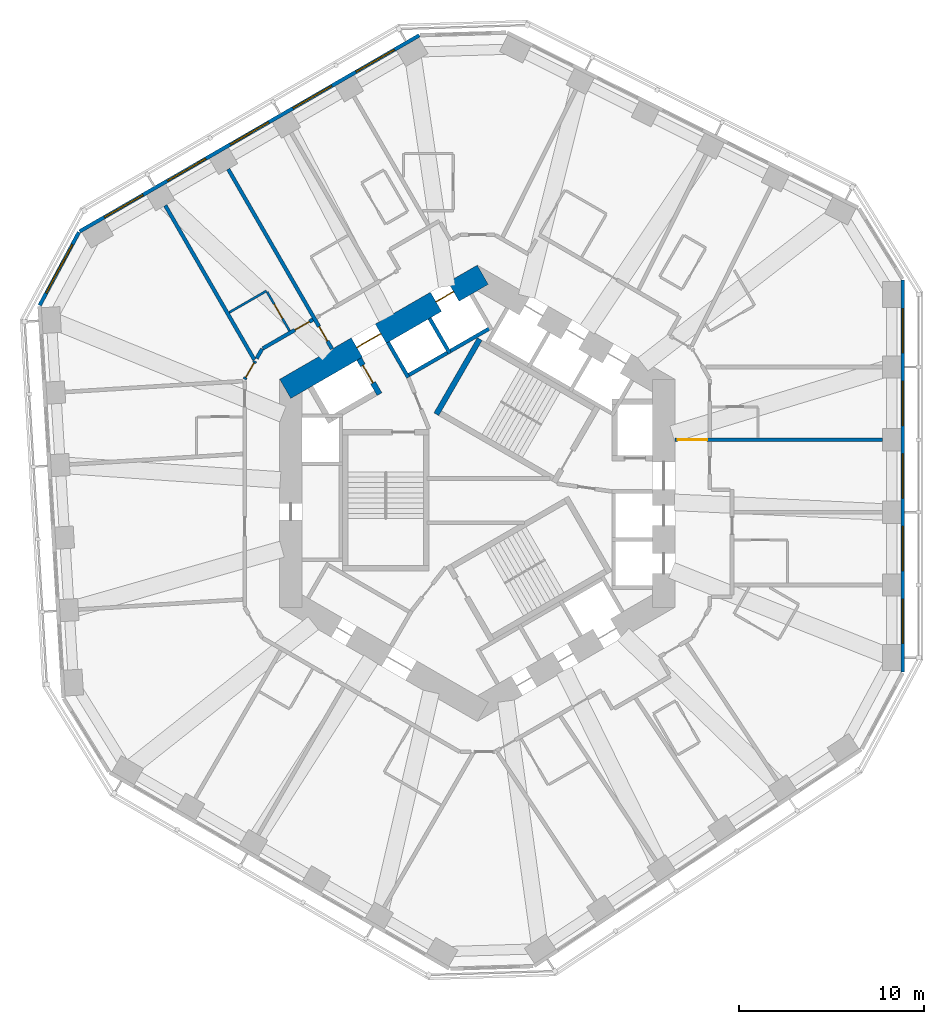
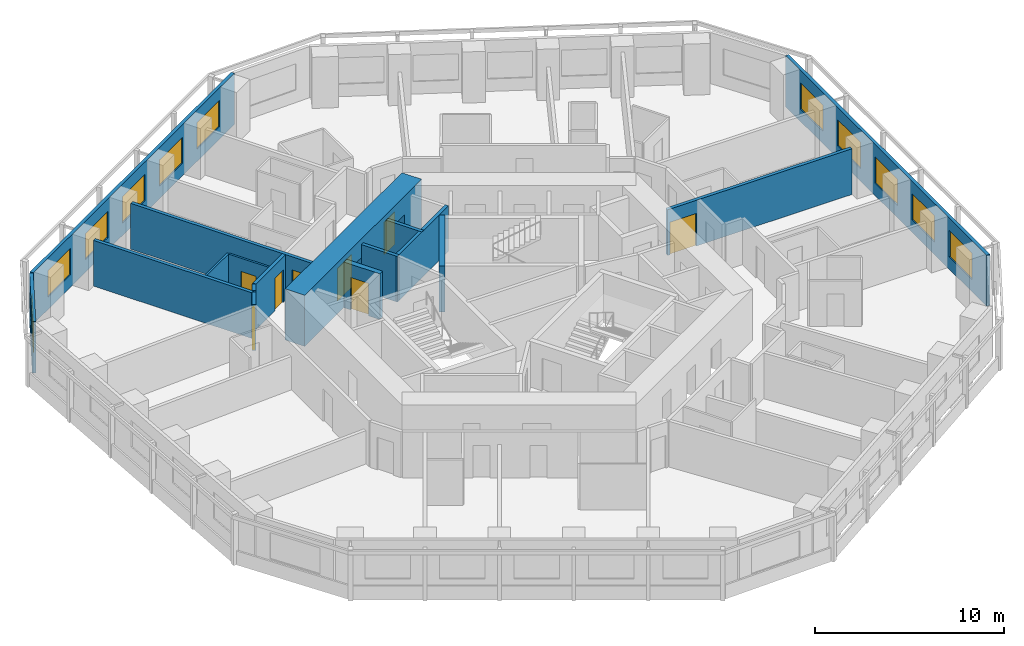
# One storey, part 7 of 12: 17 walls, 11 windows, 8 doors, 19 openings.
"""IFC4 building model written with IfcOpenShell, lengths in metres."""

from ifc_helpers import new_model, si_unit, direction, frame, frame_2d, origin, place, context, subcontext, project, spatial, rectangle, extrude, material, layer, layer_set, type_object, element, fill, save


model = new_model("IFC4")

# Units and contexts
model_context = context("Model", 3, precision=1e-05, world=origin(), true_north=direction((0.0, 1.0)))
body_context = subcontext(model_context, "Body", "Model", "MODEL_VIEW")
ifc_project = project(units=[si_unit("LENGTHUNIT", "METRE"), si_unit("AREAUNIT", "SQUARE_METRE"), si_unit("VOLUMEUNIT", "CUBIC_METRE"), si_unit("PLANEANGLEUNIT", "RADIAN"), si_unit("MASSUNIT", "GRAM", prefix="KILO")], contexts=[model_context])

# Site, building, storey
site_placement = place(None, origin())
site = spatial("IfcSite", under=ifc_project, at=site_placement, CompositionType="ELEMENT")
building_placement = place(site_placement, origin())
building = spatial("IfcBuilding", under=site, at=building_placement, Name="Vanh Sen Convention Tower", CompositionType="ELEMENT")
storey_placement = place(building_placement, frame((0.0, 0.0, 73.699951171875)))
storey = spatial("IfcBuildingStorey", under=building, at=storey_placement, Name="L16", CompositionType="ELEMENT", Elevation=73.699951171875)

# Wall
ifc_material_1 = material(Name="Moisture-resistant gypsum board on steel studs", Category="steel")
ifc_layer_1 = layer(ifc_material_1, 0.1201171875)
ifc_layer_set_1 = layer_set([ifc_layer_1], Name="Moisture-resistant gypsum board on steel studs")
wall_type_1 = type_object("IfcWallType", Name="Bathroom partition 120", PredefinedType="PARTITIONING", material=ifc_layer_set_1)
wall_1_placement = place(storey_placement, frame((-13.436279296875, 9.7939453125, 0.0), z_axis=(0.0, 0.0, 1.0), x_axis=(0.866053246676, 0.499951771596, 0.0)))
element("IfcWall", 1, at=wall_1_placement, inside=storey, type_object=wall_type_1, Name="Bathroom partition 120", PredefinedType="PARTITIONING", context=body_context, shape_type="SweptSolid", body=[
    extrude(rectangle(XDim=2.334716796875, YDim=0.1201171875, at=frame_2d((1.16748046875, 0.0))), origin(), (0.0, 0.0, 1.0), 2.949951171875),
])

# Wall, opening, door
wall_2_placement = place(storey_placement, frame((-11.384521484375, 10.9091796875, 0.0), z_axis=(0.0, 0.0, 1.0), x_axis=(0.500077547548, -0.865980627057, 0.0)))
wall_2 = element("IfcWall", 2, at=wall_2_placement, inside=storey, type_object=wall_type_1, Name="Bathroom partition 120", PredefinedType="PARTITIONING", context=body_context, shape_type="SweptSolid", body=[
    extrude(rectangle(XDim=2.43994140625, YDim=0.1201171875, at=frame_2d((1.219970703125, 0.0))), origin(), (0.0, 0.0, 1.0), 2.949951171875),
])
opening_1_placement = place(wall_2_placement, frame((0.77001953125, 0.0, 0.0)))
opening_1 = element("IfcOpeningElement", 3, at=opening_1_placement, cuts=wall_2, Name="Opening D16119", PredefinedType="OPENING", context=body_context, shape_type="SweptSolid", body=[
    extrude(rectangle(XDim=0.89990234375, YDim=2.10009765625, at=frame_2d((0.449951171875, 1.050048828125))), frame((0.0, 0.070068359375, 0.0), z_axis=(0.0, -1.0, 0.0), x_axis=(1.0, 0.0, 0.0)), (0.0, 0.0, 1.0), 0.14013671875),
])
ifc_material_2 = material(Name="Laminate door in steel frame", Category="steel")
door_type_1 = type_object("IfcDoorType", Name="En-suite door 900", OperationType="SINGLE_SWING_LEFT", PredefinedType="DOOR", material=ifc_material_2)
door_1_placement = place(opening_1_placement, origin())
door_1 = element("IfcDoor", 4, at=door_1_placement, inside=storey, type_object=door_type_1, Name="En-suite door D16119", OperationType="SINGLE_SWING_LEFT", OverallHeight=2.10009765625, OverallWidth=0.89990234375, PredefinedType="DOOR", context=body_context, shape_type="SweptSolid", body=[
    extrude(rectangle(XDim=0.89990234375, YDim=2.10009765625, at=frame_2d((0.449951171875, 1.050048828125))), frame((0.0, 0.02490234375, 0.0), z_axis=(0.0, -1.0, 0.0), x_axis=(1.0, 0.0, 0.0)), (0.0, 0.0, 1.0), 0.050048828125),
])
fill(opening_1, door_1)

# Wall, openings, doors
ifc_material_3 = material(Name="Concrete C80/95", Category="concrete")
ifc_layer_2 = layer(ifc_material_3, 1.199951171875)
ifc_layer_set_2 = layer_set([ifc_layer_2], Name="Concrete C80/95")
wall_type_2 = type_object("IfcWallType", Name="Core outer wall 1200 C80/95", PredefinedType="SHEAR", material=ifc_layer_set_2)
wall_3_placement = place(storey_placement, frame((0.300048828125, 11.835693359375, 0.0), z_axis=(0.0, 0.0, 1.0), x_axis=(-0.866021384402, -0.500006961711, 0.0)))
wall_3 = element("IfcWall", 5, at=wall_3_placement, inside=storey, type_object=wall_type_2, Name="Core wall face NW L16", PredefinedType="SHEAR", context=body_context, shape_type="SweptSolid", body=[
    extrude(rectangle(XDim=12.355224609375, YDim=1.199951171875, at=frame_2d((6.177734375, 0.0))), origin(), (0.0, 0.0, 1.0), 3.300048828125),
])
opening_2_placement = place(wall_3_placement, frame((6.377685546875, 0.0, 0.0)))
opening_2 = element("IfcOpeningElement", 6, at=opening_2_placement, cuts=wall_3, Name="Opening D16002", PredefinedType="OPENING", context=body_context, shape_type="SweptSolid", body=[
    extrude(rectangle(XDim=1.5, YDim=2.10009765625, at=frame_2d((0.75, 1.050048828125))), frame((0.0, 0.60986328125, 0.0), z_axis=(0.0, -1.0, 0.0), x_axis=(1.0, 0.0, 0.0)), (0.0, 0.0, 1.0), 1.219970703125),
])
opening_3_placement = place(wall_3_placement, frame((1.82763671875, 0.0, 0.0)))
opening_3 = element("IfcOpeningElement", 7, at=opening_3_placement, cuts=wall_3, Name="Opening LD-LR6", PredefinedType="OPENING", context=body_context, shape_type="SweptSolid", body=[
    extrude(rectangle(XDim=1.10009765625, YDim=2.10009765625, at=frame_2d((0.550048828125, 1.050048828125))), frame((0.0, 0.60986328125, 0.0), z_axis=(0.0, -1.0, 0.0), x_axis=(1.0, 0.0, 0.0)), (0.0, 0.0, 1.0), 1.219970703125),
])
ifc_material_4 = material(Name="Stainless steel", Category="steel")
door_type_2 = type_object("IfcDoorType", Name="Lift landing door 1100", OperationType="DOUBLE_DOOR_SLIDING", PredefinedType="DOOR", material=ifc_material_4)
door_2_placement = place(opening_3_placement, origin())
door_2 = element("IfcDoor", 8, at=door_2_placement, inside=storey, type_object=door_type_2, Name="Lift LR6 landing door LD-LR6", OperationType="DOUBLE_DOOR_SLIDING", OverallHeight=2.10009765625, OverallWidth=1.10009765625, PredefinedType="DOOR", context=body_context, shape_type="SweptSolid", body=[
    extrude(rectangle(XDim=1.10009765625, YDim=2.10009765625, at=frame_2d((0.550048828125, 1.050048828125))), frame((0.0, 0.02490234375, 0.0), z_axis=(0.0, -1.0, 0.0), x_axis=(1.0, 0.0, 0.0)), (0.0, 0.0, 1.0), 0.050048828125),
])
fill(opening_3, door_2)
ifc_material_5 = material(Name="Steel S355", Category="steel")
door_type_3 = type_object("IfcDoorType", Name="Stair lobby door 1500", OperationType="DOUBLE_DOOR_SINGLE_SWING", PredefinedType="DOOR", material=ifc_material_5)
door_3_placement = place(opening_2_placement, origin())
door_3 = element("IfcDoor", 9, at=door_3_placement, inside=storey, type_object=door_type_3, Name="Stair lobby door D16002", OperationType="DOUBLE_DOOR_SINGLE_SWING", OverallHeight=2.10009765625, OverallWidth=1.5, PredefinedType="DOOR", context=body_context, shape_type="SweptSolid", body=[
    extrude(rectangle(XDim=1.5, YDim=2.10009765625, at=frame_2d((0.75, 1.050048828125))), frame((0.0, 0.02490234375, 0.0), z_axis=(0.0, -1.0, 0.0), x_axis=(1.0, 0.0, 0.0)), (0.0, 0.0, 1.0), 0.050048828125),
])
fill(opening_2, door_3)

# Wall, opening, door
ifc_material_6 = material(Name="Gypsum board on steel studs with mineral wool", Category="steel")
ifc_layer_3 = layer(ifc_material_6, 0.199951171875)
ifc_layer_set_3 = layer_set([ifc_layer_3], Name="Gypsum board on steel studs with mineral wool")
wall_type_3 = type_object("IfcWallType", Name="Corridor partition wall 200", PredefinedType="PARTITIONING", material=ifc_layer_set_3)
wall_4_placement = place(storey_placement, frame((-12.031982421875, 7.16162109375, 0.0), z_axis=(0.0, 0.0, 1.0), x_axis=(-0.499951829968, -0.866053212979, 0.0)))
wall_4 = element("IfcWall", 10, at=wall_4_placement, inside=storey, type_object=wall_type_3, Name="Corridor partition wall 200", PredefinedType="PARTITIONING", context=body_context, shape_type="SweptSolid", body=[
    extrude(rectangle(XDim=1.13623046875, YDim=0.199951171875, at=frame_2d((0.568115234375, 0.0))), origin(), (0.0, 0.0, 1.0), 2.949951171875),
])
opening_4_placement = place(wall_4_placement, frame((0.1181640625, 0.0, 0.0)))
opening_4 = element("IfcOpeningElement", 11, at=opening_4_placement, cuts=wall_4, Name="Opening D16120", PredefinedType="OPENING", context=body_context, shape_type="SweptSolid", body=[
    extrude(rectangle(XDim=0.89990234375, YDim=2.10009765625, at=frame_2d((0.449951171875, 1.050048828125))), frame((0.0, 0.10986328125, 0.0), z_axis=(0.0, -1.0, 0.0), x_axis=(1.0, 0.0, 0.0)), (0.0, 0.0, 1.0), 0.219970703125),
])
ifc_material_7 = material(Name="Timber fire door in steel frame", Category="steel")
door_type_4 = type_object("IfcDoorType", Name="Floor room door 900", OperationType="SINGLE_SWING_LEFT", PredefinedType="DOOR", material=ifc_material_7)
door_4_placement = place(opening_4_placement, origin())
door_4 = element("IfcDoor", 12, at=door_4_placement, inside=storey, type_object=door_type_4, Name="Meeting and amenity room door D16120", OperationType="SINGLE_SWING_LEFT", OverallHeight=2.10009765625, OverallWidth=0.89990234375, PredefinedType="DOOR", context=body_context, shape_type="SweptSolid", body=[
    extrude(rectangle(XDim=0.89990234375, YDim=2.10009765625, at=frame_2d((0.449951171875, 1.050048828125))), frame((0.0, 0.02490234375, 0.0), z_axis=(0.0, -1.0, 0.0), x_axis=(1.0, 0.0, 0.0)), (0.0, 0.0, 1.0), 0.050048828125),
])
fill(opening_4, door_4)

# Wall
wall_5_placement = place(storey_placement, frame((-11.64990234375, 7.822998046875, 0.0), z_axis=(0.0, 0.0, 1.0), x_axis=(-0.50012165622, -0.865955154139, 0.0)))
element("IfcWall", 13, at=wall_5_placement, inside=storey, type_object=wall_type_3, Name="Corridor partition wall 200", PredefinedType="PARTITIONING", context=body_context, shape_type="SweptSolid", body=[
    extrude(rectangle(XDim=0.599853515625, YDim=0.199951171875, at=frame_2d((0.2998046875, 0.0))), origin(), (0.0, 0.0, 1.0), 2.949951171875),
])

# Wall, opening, door
wall_6_placement = place(storey_placement, frame((-8.902099609375, 9.40966796875, 0.0), z_axis=(0.0, 0.0, 1.0), x_axis=(-0.866014299198, -0.500019233215, 0.0)))
wall_6 = element("IfcWall", 14, at=wall_6_placement, inside=storey, type_object=wall_type_3, Name="Corridor partition wall 200", PredefinedType="PARTITIONING", context=body_context, shape_type="SweptSolid", body=[
    extrude(rectangle(XDim=3.13330078125, YDim=0.199951171875, at=frame_2d((1.566650390625, 0.0))), origin(), (0.0, 0.0, 1.0), 2.949951171875),
])
opening_5_placement = place(wall_6_placement, frame((0.22509765625, 0.0, 0.0)))
opening_5 = element("IfcOpeningElement", 15, at=opening_5_placement, cuts=wall_6, Name="Opening D16118", PredefinedType="OPENING", context=body_context, shape_type="SweptSolid", body=[
    extrude(rectangle(XDim=0.89990234375, YDim=2.10009765625, at=frame_2d((0.449951171875, 1.050048828125))), frame((0.0, 0.10986328125, 0.0), z_axis=(0.0, -1.0, 0.0), x_axis=(1.0, 0.0, 0.0)), (0.0, 0.0, 1.0), 0.219970703125),
])
door_type_5 = type_object("IfcDoorType", Name="Guest room door 900", OperationType="SINGLE_SWING_LEFT", PredefinedType="DOOR", material=ifc_material_7)
door_5_placement = place(opening_5_placement, origin())
door_5 = element("IfcDoor", 16, at=door_5_placement, inside=storey, type_object=door_type_5, Name="Hotel guest room door D16118", OperationType="SINGLE_SWING_LEFT", OverallHeight=2.10009765625, OverallWidth=0.89990234375, PredefinedType="DOOR", context=body_context, shape_type="SweptSolid", body=[
    extrude(rectangle(XDim=0.89990234375, YDim=2.10009765625, at=frame_2d((0.449951171875, 1.050048828125))), frame((0.0, 0.02490234375, 0.0), z_axis=(0.0, -1.0, 0.0), x_axis=(1.0, 0.0, 0.0)), (0.0, 0.0, 1.0), 0.050048828125),
])
fill(opening_5, door_5)

# Wall, openings, windows
ifc_material_8 = material(Name="Insulated lightweight infill wall")
ifc_layer_4 = layer(ifc_material_8, 0.199951171875)
ifc_layer_set_4 = layer_set([ifc_layer_4], Name="Insulated lightweight infill wall")
wall_type_4 = type_object("IfcWallType", Name="External wall 200", PredefinedType="STANDARD", material=ifc_layer_set_4)
wall_7_placement = place(storey_placement, frame((23.050048828125, -9.6865234375, 0.0), z_axis=(0.0, 0.0, 1.0), x_axis=(0.0, 1.0, 0.0)))
wall_7 = element("IfcWall", 17, at=wall_7_placement, inside=storey, type_object=wall_type_4, Name="External wall E L16", PredefinedType="STANDARD", context=body_context, shape_type="SweptSolid", body=[
    extrude(rectangle(XDim=21.24609375, YDim=0.199951171875, at=frame_2d((10.623046875, 0.0))), origin(), (0.0, 0.0, 1.0), 3.300048828125),
])
opening_6_placement = place(wall_7_placement, frame((1.5546875, 0.0, 0.800048828125)))
opening_6 = element("IfcOpeningElement", 18, at=opening_6_placement, cuts=wall_7, Name="Opening WH1-E1", PredefinedType="OPENING", context=body_context, shape_type="SweptSolid", body=[
    extrude(rectangle(XDim=2.39990234375, YDim=1.699951171875, at=frame_2d((1.199951171875, 0.85009765625))), frame((0.0, 0.10986328125, 0.0), z_axis=(0.0, -1.0, 0.0), x_axis=(1.0, 0.0, 0.0)), (0.0, 0.0, 1.0), 0.219970703125),
])
opening_7_placement = place(wall_7_placement, frame((5.4892578125, 0.0, 0.800048828125)))
opening_7 = element("IfcOpeningElement", 19, at=opening_7_placement, cuts=wall_7, Name="Opening WH1-E2", PredefinedType="OPENING", context=body_context, shape_type="SweptSolid", body=[
    extrude(rectangle(XDim=2.39990234375, YDim=1.699951171875, at=frame_2d((1.199951171875, 0.85009765625))), frame((0.0, 0.10986328125, 0.0), z_axis=(0.0, -1.0, 0.0), x_axis=(1.0, 0.0, 0.0)), (0.0, 0.0, 1.0), 0.219970703125),
])
opening_8_placement = place(wall_7_placement, frame((9.423828125, 0.0, 0.800048828125)))
opening_8 = element("IfcOpeningElement", 20, at=opening_8_placement, cuts=wall_7, Name="Opening WH1-E3", PredefinedType="OPENING", context=body_context, shape_type="SweptSolid", body=[
    extrude(rectangle(XDim=2.39990234375, YDim=1.699951171875, at=frame_2d((1.199951171875, 0.85009765625))), frame((0.0, 0.10986328125, 0.0), z_axis=(0.0, -1.0, 0.0), x_axis=(1.0, 0.0, 0.0)), (0.0, 0.0, 1.0), 0.219970703125),
])
opening_9_placement = place(wall_7_placement, frame((13.3583984375, 0.0, 0.800048828125)))
opening_9 = element("IfcOpeningElement", 21, at=opening_9_placement, cuts=wall_7, Name="Opening WH1-E4", PredefinedType="OPENING", context=body_context, shape_type="SweptSolid", body=[
    extrude(rectangle(XDim=2.39990234375, YDim=1.699951171875, at=frame_2d((1.199951171875, 0.85009765625))), frame((0.0, 0.10986328125, 0.0), z_axis=(0.0, -1.0, 0.0), x_axis=(1.0, 0.0, 0.0)), (0.0, 0.0, 1.0), 0.219970703125),
])
opening_10_placement = place(wall_7_placement, frame((17.29296875, 0.0, 0.800048828125)))
opening_10 = element("IfcOpeningElement", 22, at=opening_10_placement, cuts=wall_7, Name="Opening WH1-E5", PredefinedType="OPENING", context=body_context, shape_type="SweptSolid", body=[
    extrude(rectangle(XDim=2.39990234375, YDim=1.699951171875, at=frame_2d((1.199951171875, 0.85009765625))), frame((0.0, 0.10986328125, 0.0), z_axis=(0.0, -1.0, 0.0), x_axis=(1.0, 0.0, 0.0)), (0.0, 0.0, 1.0), 0.219970703125),
])
ifc_material_9 = material(Name="Aluminium frame with clear low-emissivity glass", Category="aluminium")
window_type_1 = type_object("IfcWindowType", Name="Hotel window 2400 x 1700", PartitioningType="SINGLE_PANEL", PredefinedType="WINDOW", material=ifc_material_9)
window_1_placement = place(opening_6_placement, origin())
window_1 = element("IfcWindow", 23, at=window_1_placement, inside=storey, type_object=window_type_1, Name="Window WH1-E1", OverallHeight=1.699951171875, OverallWidth=2.39990234375, PartitioningType="SINGLE_PANEL", PredefinedType="WINDOW", context=body_context, shape_type="SweptSolid", body=[
    extrude(rectangle(XDim=2.39990234375, YDim=1.699951171875, at=frame_2d((1.199951171875, 0.85009765625))), frame((0.0, 0.030029296875, 0.0), z_axis=(0.0, -1.0, 0.0), x_axis=(1.0, 0.0, 0.0)), (0.0, 0.0, 1.0), 0.06005859375),
])
fill(opening_6, window_1)
window_2_placement = place(opening_7_placement, origin())
window_2 = element("IfcWindow", 24, at=window_2_placement, inside=storey, type_object=window_type_1, Name="Window WH1-E2", OverallHeight=1.699951171875, OverallWidth=2.39990234375, PartitioningType="SINGLE_PANEL", PredefinedType="WINDOW", context=body_context, shape_type="SweptSolid", body=[
    extrude(rectangle(XDim=2.39990234375, YDim=1.699951171875, at=frame_2d((1.199951171875, 0.85009765625))), frame((0.0, 0.030029296875, 0.0), z_axis=(0.0, -1.0, 0.0), x_axis=(1.0, 0.0, 0.0)), (0.0, 0.0, 1.0), 0.06005859375),
])
fill(opening_7, window_2)
window_3_placement = place(opening_8_placement, origin())
window_3 = element("IfcWindow", 25, at=window_3_placement, inside=storey, type_object=window_type_1, Name="Window WH1-E3", OverallHeight=1.699951171875, OverallWidth=2.39990234375, PartitioningType="SINGLE_PANEL", PredefinedType="WINDOW", context=body_context, shape_type="SweptSolid", body=[
    extrude(rectangle(XDim=2.39990234375, YDim=1.699951171875, at=frame_2d((1.199951171875, 0.85009765625))), frame((0.0, 0.030029296875, 0.0), z_axis=(0.0, -1.0, 0.0), x_axis=(1.0, 0.0, 0.0)), (0.0, 0.0, 1.0), 0.06005859375),
])
fill(opening_8, window_3)
window_4_placement = place(opening_9_placement, origin())
window_4 = element("IfcWindow", 26, at=window_4_placement, inside=storey, type_object=window_type_1, Name="Window WH1-E4", OverallHeight=1.699951171875, OverallWidth=2.39990234375, PartitioningType="SINGLE_PANEL", PredefinedType="WINDOW", context=body_context, shape_type="SweptSolid", body=[
    extrude(rectangle(XDim=2.39990234375, YDim=1.699951171875, at=frame_2d((1.199951171875, 0.85009765625))), frame((0.0, 0.030029296875, 0.0), z_axis=(0.0, -1.0, 0.0), x_axis=(1.0, 0.0, 0.0)), (0.0, 0.0, 1.0), 0.06005859375),
])
fill(opening_9, window_4)
window_5_placement = place(opening_10_placement, origin())
window_5 = element("IfcWindow", 27, at=window_5_placement, inside=storey, type_object=window_type_1, Name="Window WH1-E5", OverallHeight=1.699951171875, OverallWidth=2.39990234375, PartitioningType="SINGLE_PANEL", PredefinedType="WINDOW", context=body_context, shape_type="SweptSolid", body=[
    extrude(rectangle(XDim=2.39990234375, YDim=1.699951171875, at=frame_2d((1.199951171875, 0.85009765625))), frame((0.0, 0.030029296875, 0.0), z_axis=(0.0, -1.0, 0.0), x_axis=(1.0, 0.0, 0.0)), (0.0, 0.0, 1.0), 0.06005859375),
])
fill(opening_10, window_5)

wall_8_placement = place(storey_placement, frame((-3.135986328125, 24.80517578125, 0.0), z_axis=(0.0, 0.0, 1.0), x_axis=(-0.866028291626, -0.499994998079, 0.0)))
wall_8 = element("IfcWall", 28, at=wall_8_placement, inside=storey, type_object=wall_type_4, Name="External wall NW L16", PredefinedType="STANDARD", context=body_context, shape_type="SweptSolid", body=[
    extrude(rectangle(XDim=21.246337890625, YDim=0.199951171875, at=frame_2d((10.623046875, 0.0))), origin(), (0.0, 0.0, 1.0), 3.300048828125),
])
opening_11_placement = place(wall_8_placement, frame((1.5546875, 0.0, 0.800048828125)))
opening_11 = element("IfcOpeningElement", 29, at=opening_11_placement, cuts=wall_8, Name="Opening WH1-NW1", PredefinedType="OPENING", context=body_context, shape_type="SweptSolid", body=[
    extrude(rectangle(XDim=2.39990234375, YDim=1.699951171875, at=frame_2d((1.199951171875, 0.85009765625))), frame((0.0, 0.10986328125, 0.0), z_axis=(0.0, -1.0, 0.0), x_axis=(1.0, 0.0, 0.0)), (0.0, 0.0, 1.0), 0.219970703125),
])
opening_12_placement = place(wall_8_placement, frame((5.4892578125, 0.0, 0.800048828125)))
opening_12 = element("IfcOpeningElement", 30, at=opening_12_placement, cuts=wall_8, Name="Opening WH1-NW2", PredefinedType="OPENING", context=body_context, shape_type="SweptSolid", body=[
    extrude(rectangle(XDim=2.39990234375, YDim=1.699951171875, at=frame_2d((1.199951171875, 0.85009765625))), frame((0.0, 0.10986328125, 0.0), z_axis=(0.0, -1.0, 0.0), x_axis=(1.0, 0.0, 0.0)), (0.0, 0.0, 1.0), 0.219970703125),
])
opening_13_placement = place(wall_8_placement, frame((9.423828125, 0.0, 0.800048828125)))
opening_13 = element("IfcOpeningElement", 31, at=opening_13_placement, cuts=wall_8, Name="Opening WH1-NW3", PredefinedType="OPENING", context=body_context, shape_type="SweptSolid", body=[
    extrude(rectangle(XDim=2.39990234375, YDim=1.699951171875, at=frame_2d((1.199951171875, 0.85009765625))), frame((0.0, 0.10986328125, 0.0), z_axis=(0.0, -1.0, 0.0), x_axis=(1.0, 0.0, 0.0)), (0.0, 0.0, 1.0), 0.219970703125),
])
opening_14_placement = place(wall_8_placement, frame((13.3583984375, 0.0, 0.800048828125)))
opening_14 = element("IfcOpeningElement", 32, at=opening_14_placement, cuts=wall_8, Name="Opening WH1-NW4", PredefinedType="OPENING", context=body_context, shape_type="SweptSolid", body=[
    extrude(rectangle(XDim=2.39990234375, YDim=1.699951171875, at=frame_2d((1.199951171875, 0.85009765625))), frame((0.0, 0.10986328125, 0.0), z_axis=(0.0, -1.0, 0.0), x_axis=(1.0, 0.0, 0.0)), (0.0, 0.0, 1.0), 0.219970703125),
])
opening_15_placement = place(wall_8_placement, frame((17.293212890625, 0.0, 0.800048828125)))
opening_15 = element("IfcOpeningElement", 33, at=opening_15_placement, cuts=wall_8, Name="Opening WH1-NW5", PredefinedType="OPENING", context=body_context, shape_type="SweptSolid", body=[
    extrude(rectangle(XDim=2.39990234375, YDim=1.699951171875, at=frame_2d((1.199951171875, 0.85009765625))), frame((0.0, 0.10986328125, 0.0), z_axis=(0.0, -1.0, 0.0), x_axis=(1.0, 0.0, 0.0)), (0.0, 0.0, 1.0), 0.219970703125),
])
window_6_placement = place(opening_11_placement, origin())
window_6 = element("IfcWindow", 34, at=window_6_placement, inside=storey, type_object=window_type_1, Name="Window WH1-NW1", OverallHeight=1.699951171875, OverallWidth=2.39990234375, PartitioningType="SINGLE_PANEL", PredefinedType="WINDOW", context=body_context, shape_type="SweptSolid", body=[
    extrude(rectangle(XDim=2.39990234375, YDim=1.699951171875, at=frame_2d((1.199951171875, 0.85009765625))), frame((0.0, 0.030029296875, 0.0), z_axis=(0.0, -1.0, 0.0), x_axis=(1.0, 0.0, 0.0)), (0.0, 0.0, 1.0), 0.06005859375),
])
fill(opening_11, window_6)
window_7_placement = place(opening_12_placement, origin())
window_7 = element("IfcWindow", 35, at=window_7_placement, inside=storey, type_object=window_type_1, Name="Window WH1-NW2", OverallHeight=1.699951171875, OverallWidth=2.39990234375, PartitioningType="SINGLE_PANEL", PredefinedType="WINDOW", context=body_context, shape_type="SweptSolid", body=[
    extrude(rectangle(XDim=2.39990234375, YDim=1.699951171875, at=frame_2d((1.199951171875, 0.85009765625))), frame((0.0, 0.030029296875, 0.0), z_axis=(0.0, -1.0, 0.0), x_axis=(1.0, 0.0, 0.0)), (0.0, 0.0, 1.0), 0.06005859375),
])
fill(opening_12, window_7)
window_8_placement = place(opening_13_placement, origin())
window_8 = element("IfcWindow", 36, at=window_8_placement, inside=storey, type_object=window_type_1, Name="Window WH1-NW3", OverallHeight=1.699951171875, OverallWidth=2.39990234375, PartitioningType="SINGLE_PANEL", PredefinedType="WINDOW", context=body_context, shape_type="SweptSolid", body=[
    extrude(rectangle(XDim=2.39990234375, YDim=1.699951171875, at=frame_2d((1.199951171875, 0.85009765625))), frame((0.0, 0.030029296875, 0.0), z_axis=(0.0, -1.0, 0.0), x_axis=(1.0, 0.0, 0.0)), (0.0, 0.0, 1.0), 0.06005859375),
])
fill(opening_13, window_8)
window_9_placement = place(opening_14_placement, origin())
window_9 = element("IfcWindow", 37, at=window_9_placement, inside=storey, type_object=window_type_1, Name="Window WH1-NW4", OverallHeight=1.699951171875, OverallWidth=2.39990234375, PartitioningType="SINGLE_PANEL", PredefinedType="WINDOW", context=body_context, shape_type="SweptSolid", body=[
    extrude(rectangle(XDim=2.39990234375, YDim=1.699951171875, at=frame_2d((1.199951171875, 0.85009765625))), frame((0.0, 0.030029296875, 0.0), z_axis=(0.0, -1.0, 0.0), x_axis=(1.0, 0.0, 0.0)), (0.0, 0.0, 1.0), 0.06005859375),
])
fill(opening_14, window_9)
window_10_placement = place(opening_15_placement, origin())
window_10 = element("IfcWindow", 38, at=window_10_placement, inside=storey, type_object=window_type_1, Name="Window WH1-NW5", OverallHeight=1.699951171875, OverallWidth=2.39990234375, PartitioningType="SINGLE_PANEL", PredefinedType="WINDOW", context=body_context, shape_type="SweptSolid", body=[
    extrude(rectangle(XDim=2.39990234375, YDim=1.699951171875, at=frame_2d((1.199951171875, 0.85009765625))), frame((0.0, 0.030029296875, 0.0), z_axis=(0.0, -1.0, 0.0), x_axis=(1.0, 0.0, 0.0)), (0.0, 0.0, 1.0), 0.06005859375),
])
fill(opening_15, window_10)

# Wall, opening, window
wall_9_placement = place(storey_placement, frame((-21.573974609375, 14.142822265625, 0.0), z_axis=(0.0, 0.0, 1.0), x_axis=(-0.473292949472, -0.880905093628, 0.0)))
wall_9 = element("IfcWall", 39, at=wall_9_placement, inside=storey, type_object=wall_type_4, Name="External wall CH3 L16", PredefinedType="STANDARD", context=body_context, shape_type="SweptSolid", body=[
    extrude(rectangle(XDim=4.493896484375, YDim=0.199951171875, at=frame_2d((2.2470703125, 0.0))), origin(), (0.0, 0.0, 1.0), 3.300048828125),
])
opening_16_placement = place(wall_9_placement, frame((0.746826171875, 0.0, 0.800048828125)))
opening_16 = element("IfcOpeningElement", 40, at=opening_16_placement, cuts=wall_9, Name="Opening WH2-CH31", PredefinedType="OPENING", context=body_context, shape_type="SweptSolid", body=[
    extrude(rectangle(XDim=3.0, YDim=1.699951171875, at=frame_2d((1.5, 0.85009765625))), frame((0.0, 0.10986328125, 0.0), z_axis=(0.0, -1.0, 0.0), x_axis=(1.0, 0.0, 0.0)), (0.0, 0.0, 1.0), 0.219970703125),
])
window_type_2 = type_object("IfcWindowType", Name="Hotel window 3000 x 1700", PartitioningType="SINGLE_PANEL", PredefinedType="WINDOW", material=ifc_material_9)
window_11_placement = place(opening_16_placement, origin())
window_11 = element("IfcWindow", 41, at=window_11_placement, inside=storey, type_object=window_type_2, Name="Window WH2-CH31", OverallHeight=1.699951171875, OverallWidth=3.0, PartitioningType="SINGLE_PANEL", PredefinedType="WINDOW", context=body_context, shape_type="SweptSolid", body=[
    extrude(rectangle(XDim=3.0, YDim=1.699951171875, at=frame_2d((1.5, 0.85009765625))), frame((0.0, 0.030029296875, 0.0), z_axis=(0.0, -1.0, 0.0), x_axis=(1.0, 0.0, 0.0)), (0.0, 0.0, 1.0), 0.06005859375),
])
fill(opening_16, window_11)

# Wall, opening, door
ifc_material_10 = material(Name="Concrete C60/75", Category="concrete")
ifc_layer_5 = layer(ifc_material_10, 0.300048828125)
ifc_layer_set_5 = layer_set([ifc_layer_5], Name="Concrete C60/75")
wall_type_5 = type_object("IfcWallType", Name="Fire-fighting lift shaft wall 300", PredefinedType="SHEAR", material=ifc_layer_set_5)
wall_10_placement = place(storey_placement, frame((-5.29541015625, 5.3720703125, 0.0), z_axis=(0.0, 0.0, 1.0), x_axis=(-0.500077893725, 0.86598042715, 0.0)))
wall_10 = element("IfcWall", 42, at=wall_10_placement, inside=storey, type_object=wall_type_5, Name="Fire-fighting lift shaft wall L16", PredefinedType="SHEAR", context=body_context, shape_type="SweptSolid", body=[
    extrude(rectangle(XDim=2.199951171875, YDim=0.300048828125, at=frame_2d((1.10009765625, 0.0))), origin(), (0.0, 0.0, 1.0), 2.949951171875),
])
opening_17_placement = place(wall_10_placement, frame((0.699951171875, 0.0, 0.0)))
opening_17 = element("IfcOpeningElement", 43, at=opening_17_placement, cuts=wall_10, Name="Opening LD-FF2", PredefinedType="OPENING", context=body_context, shape_type="SweptSolid", body=[
    extrude(rectangle(XDim=1.10009765625, YDim=2.10009765625, at=frame_2d((0.550048828125, 1.050048828125))), frame((0.0, 0.159912109375, 0.0), z_axis=(0.0, -1.0, 0.0), x_axis=(1.0, 0.0, 0.0)), (0.0, 0.0, 1.0), 0.320068359375),
])
door_type_6 = type_object("IfcDoorType", Name="Fire-fighting lift landing door 1100", OperationType="DOUBLE_DOOR_SLIDING", PredefinedType="DOOR", material=ifc_material_4)
door_6_placement = place(opening_17_placement, origin())
door_6 = element("IfcDoor", 44, at=door_6_placement, inside=storey, type_object=door_type_6, Name="Lift FF2 landing door LD-FF2", OperationType="DOUBLE_DOOR_SLIDING", OverallHeight=2.10009765625, OverallWidth=1.10009765625, PredefinedType="DOOR", context=body_context, shape_type="SweptSolid", body=[
    extrude(rectangle(XDim=1.10009765625, YDim=2.10009765625, at=frame_2d((0.550048828125, 1.050048828125))), frame((0.0, 0.02490234375, 0.0), z_axis=(0.0, -1.0, 0.0), x_axis=(1.0, 0.0, 0.0)), (0.0, 0.0, 1.0), 0.050048828125),
])
fill(opening_17, door_6)

# Walls
ifc_layer_6 = layer(ifc_material_6, 0.199951171875)
ifc_layer_set_6 = layer_set([ifc_layer_6], Name="Gypsum board on steel studs with mineral wool")
wall_type_6 = type_object("IfcWallType", Name="Hotel party wall 200", PredefinedType="PARTITIONING", material=ifc_layer_set_6)
wall_11_placement = place(storey_placement, frame((-16.89794921875, 15.589599609375, 0.0), z_axis=(0.0, 0.0, 1.0), x_axis=(0.499994742786, -0.866028439017, 0.0)))
element("IfcWall", 45, at=wall_11_placement, inside=storey, type_object=wall_type_6, Name="Hotel party wall 200", PredefinedType="PARTITIONING", context=body_context, shape_type="SweptSolid", body=[
    extrude(rectangle(XDim=9.64990234375, YDim=0.199951171875, at=frame_2d((4.824951171875, 0.0))), origin(), (0.0, 0.0, 1.0), 2.949951171875),
])
ifc_material_11 = material(Name="Concrete C40/50", Category="concrete")
ifc_layer_7 = layer(ifc_material_11, 0.199951171875)
ifc_layer_set_7 = layer_set([ifc_layer_7], Name="Concrete C40/50")
wall_type_7 = type_object("IfcWallType", Name="Lift shaft wall 200", PredefinedType="PARTITIONING", material=ifc_layer_set_7)
wall_12_placement = place(storey_placement, frame((0.80322265625, 9.008544921875, 0.0), z_axis=(0.0, 0.0, 1.0), x_axis=(-0.866028230842, -0.499995103361, 0.0)))
element("IfcWall", 46, at=wall_12_placement, inside=storey, type_object=wall_type_7, Name="Lift shaft wall L16", PredefinedType="PARTITIONING", context=body_context, shape_type="SweptSolid", body=[
    extrude(rectangle(XDim=5.39990234375, YDim=0.199951171875, at=frame_2d((2.699951171875, 0.0))), origin(), (0.0, 0.0, 1.0), 2.949951171875),
])
for number, where, z_axis, x_axis, name in (
    (47, (-1.48486328125, 7.572021484375, 0.0), (0.0, 0.0, 1.0), (-0.50002983664, 0.866008176907, 0.0), "Lift shaft wall L16"),
    (48, (-3.736572265625, 6.27197265625, 0.0), (0.0, 0.0, 1.0), (-0.50002983664, 0.866008176907, 0.0), "Lift shaft wall L16"),
):
    element("IfcWall", number, at=place(storey_placement, frame(where, z_axis=z_axis, x_axis=x_axis)), inside=storey, type_object=wall_type_7, Name=name, PredefinedType="PARTITIONING", context=body_context, shape_type="SweptSolid", body=[
        extrude(rectangle(XDim=2.199951171875, YDim=0.199951171875, at=frame_2d((1.10009765625, 0.0))), origin(), (0.0, 0.0, 1.0), 2.949951171875),
    ])
ifc_layer_8 = layer(ifc_material_10, 0.300048828125)
ifc_layer_set_8 = layer_set([ifc_layer_8], Name="Concrete C60/75")
wall_type_8 = type_object("IfcWallType", Name="Stair wall 300", PredefinedType="SHEAR", material=ifc_layer_set_8)
wall_13_placement = place(storey_placement, frame((-2.216064453125, 4.28173828125, 0.0), z_axis=(0.0, 0.0, 1.0), x_axis=(0.499977259774, 0.866038532462, 0.0)))
element("IfcWall", 49, at=wall_13_placement, inside=storey, type_object=wall_type_8, Name="Stair wall L16", PredefinedType="SHEAR", context=body_context, shape_type="SweptSolid", body=[
    extrude(rectangle(XDim=4.699951171875, YDim=0.300048828125, at=frame_2d((2.35009765625, 0.0))), origin(), (0.0, 0.0, 1.0), 2.949951171875),
])

# Wall, opening, door
ifc_material_12 = material(Name="Concrete C20/25", Category="concrete")
ifc_layer_9 = layer(ifc_material_12, 0.199951171875)
ifc_layer_set_9 = layer_set([ifc_layer_9], Name="Concrete C20/25")
wall_type_9 = type_object("IfcWallType", Name="Sub-compartment wall 200", PredefinedType="PARTITIONING", material=ifc_layer_set_9)
wall_14_placement = place(storey_placement, frame((-7.865478515625, 7.814208984375, 0.0), z_axis=(0.0, 0.0, 1.0), x_axis=(-0.500004234368, 0.866022959057, 0.0)))
wall_14 = element("IfcWall", 50, at=wall_14_placement, inside=storey, type_object=wall_type_9, Name="Sub-compartment wall 200", PredefinedType="PARTITIONING", context=body_context, shape_type="SweptSolid", body=[
    extrude(rectangle(XDim=11.25, YDim=0.199951171875, at=frame_2d((5.625, 0.0))), origin(), (0.0, 0.0, 1.0), 2.949951171875),
])
opening_18_placement = place(wall_14_placement, frame((0.5, 0.0, 0.0)))
opening_18 = element("IfcOpeningElement", 51, at=opening_18_placement, cuts=wall_14, Name="Opening D16137", PredefinedType="OPENING", context=body_context, shape_type="SweptSolid", body=[
    extrude(rectangle(XDim=0.89990234375, YDim=2.10009765625, at=frame_2d((0.449951171875, 1.050048828125))), frame((0.0, 0.10986328125, 0.0), z_axis=(0.0, -1.0, 0.0), x_axis=(1.0, 0.0, 0.0)), (0.0, 0.0, 1.0), 0.219970703125),
])
ifc_material_13 = material(Name="Steel S355", Category="steel")
door_type_7 = type_object("IfcDoorType", Name="Corridor fire door 900", OperationType="SINGLE_SWING_LEFT", PredefinedType="DOOR", material=ifc_material_13)
door_7_placement = place(opening_18_placement, origin())
door_7 = element("IfcDoor", 52, at=door_7_placement, inside=storey, type_object=door_type_7, Name="Sub-compartment door D16137", OperationType="SINGLE_SWING_LEFT", OverallHeight=2.10009765625, OverallWidth=0.89990234375, PredefinedType="DOOR", context=body_context, shape_type="SweptSolid", body=[
    extrude(rectangle(XDim=0.89990234375, YDim=2.10009765625, at=frame_2d((0.449951171875, 1.050048828125))), frame((0.0, 0.02490234375, 0.0), z_axis=(0.0, -1.0, 0.0), x_axis=(1.0, 0.0, 0.0)), (0.0, 0.0, 1.0), 0.050048828125),
])
fill(opening_18, door_7)

wall_15_placement = place(storey_placement, frame((21.949951171875, 2.904541015625, 0.0), z_axis=(0.0, 0.0, 1.0), x_axis=(-1.0, 0.0, 0.0)))
wall_15 = element("IfcWall", 53, at=wall_15_placement, inside=storey, type_object=wall_type_9, Name="Sub-compartment wall 200", PredefinedType="PARTITIONING", context=body_context, shape_type="SweptSolid", body=[
    extrude(rectangle(XDim=11.25, YDim=0.199951171875, at=frame_2d((5.625, 0.0))), origin(), (0.0, 0.0, 1.0), 2.949951171875),
])
opening_19_placement = place(wall_15_placement, frame((9.5, 0.0, 0.0)))
opening_19 = element("IfcOpeningElement", 54, at=opening_19_placement, cuts=wall_15, Name="Opening D16138", PredefinedType="OPENING", context=body_context, shape_type="SweptSolid", body=[
    extrude(rectangle(XDim=1.60009765625, YDim=2.10009765625, at=frame_2d((0.800048828125, 1.050048828125))), frame((0.0, 0.10986328125, 0.0), z_axis=(0.0, -1.0, 0.0), x_axis=(1.0, 0.0, 0.0)), (0.0, 0.0, 1.0), 0.219970703125),
])
door_type_8 = type_object("IfcDoorType", Name="Corridor fire door 1600", OperationType="DOUBLE_DOOR_SINGLE_SWING", PredefinedType="DOOR", material=ifc_material_13)
door_8_placement = place(opening_19_placement, origin())
door_8 = element("IfcDoor", 55, at=door_8_placement, inside=storey, type_object=door_type_8, Name="Sub-compartment door D16138", OperationType="DOUBLE_DOOR_SINGLE_SWING", OverallHeight=2.10009765625, OverallWidth=1.60009765625, PredefinedType="DOOR", context=body_context, shape_type="SweptSolid", body=[
    extrude(rectangle(XDim=1.60009765625, YDim=2.10009765625, at=frame_2d((0.800048828125, 1.050048828125))), frame((0.0, 0.02490234375, 0.0), z_axis=(0.0, -1.0, 0.0), x_axis=(1.0, 0.0, 0.0)), (0.0, 0.0, 1.0), 0.050048828125),
])
fill(opening_19, door_8)

save(model, "model.ifc")
